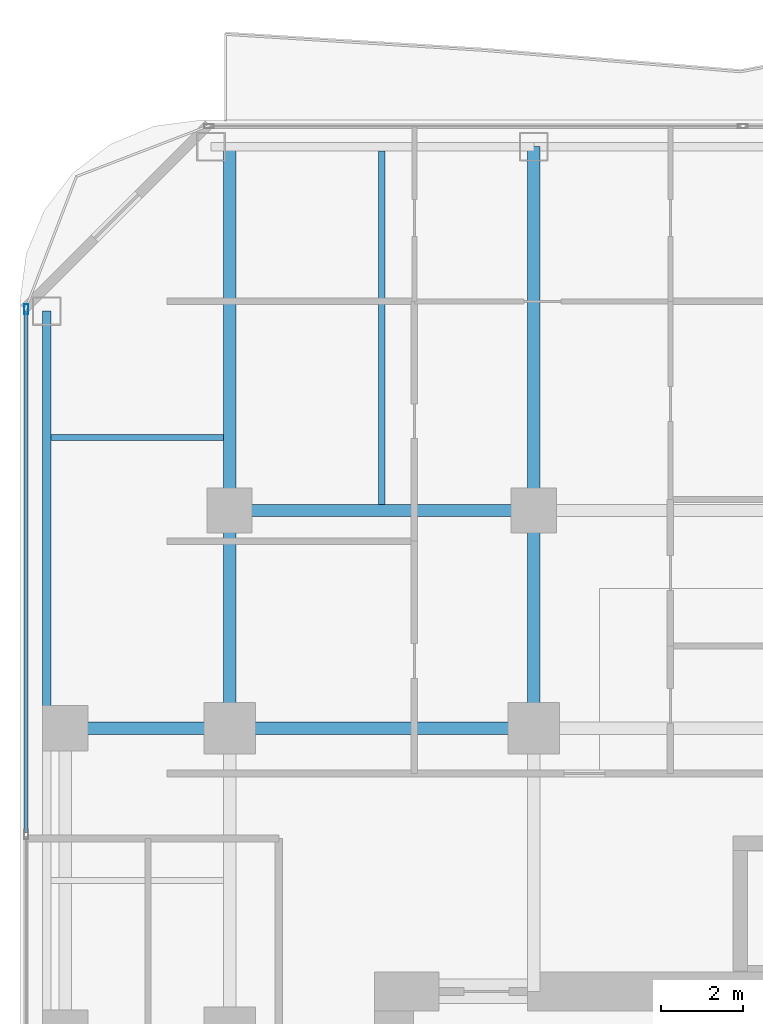
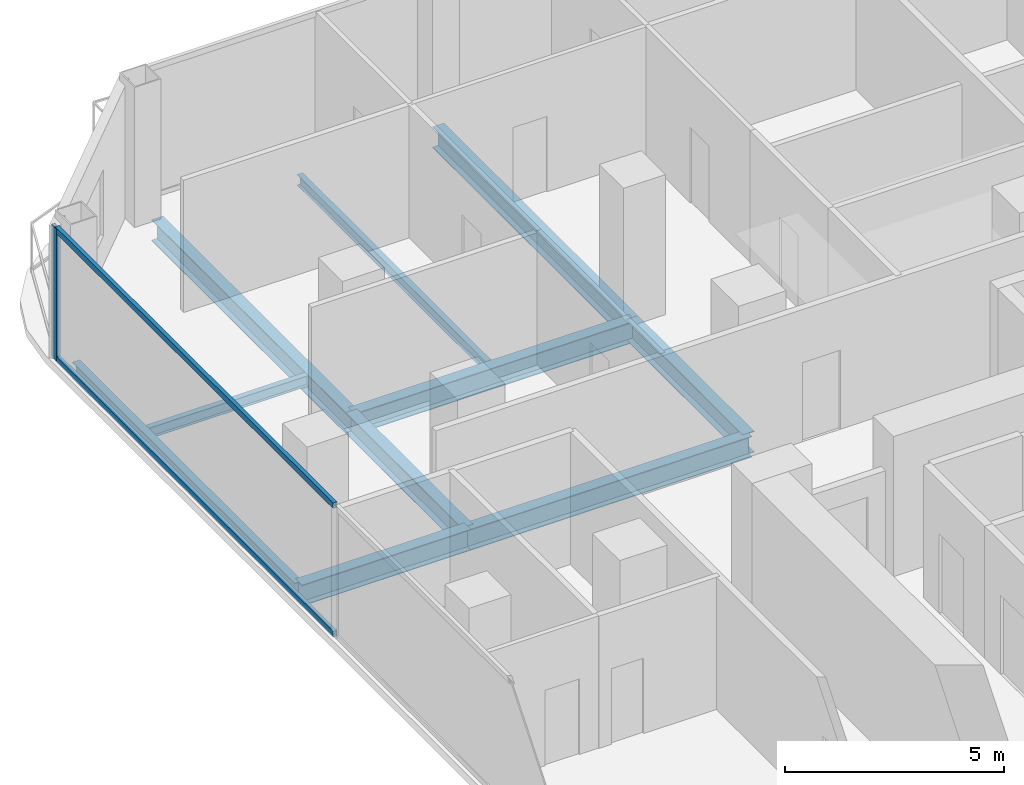
# One storey, part 12 of 27: 10 beams, 3 members, 1 element without a shape of its own.
"""IFC4 building model written with IfcOpenShell, lengths in metres."""

from ifc_helpers import new_model, si_unit, direction, frame, origin, origin_2d, place, context, subcontext, project, spatial, hollow_rectangle, i_section, extrude, material, layer, layer_set, material_profile, profile_set, type_object, element, aggregate, save


model = new_model("IFC4")

# Units and contexts
model_context = context("Model", 3, precision=1e-05, world=origin(), true_north=direction((0.0, 1.0)))
body_context = subcontext(model_context, "Body", "Model", "MODEL_VIEW")
ifc_project = project(units=[si_unit("LENGTHUNIT", "METRE"), si_unit("AREAUNIT", "SQUARE_METRE"), si_unit("VOLUMEUNIT", "CUBIC_METRE"), si_unit("PLANEANGLEUNIT", "RADIAN"), si_unit("MASSUNIT", "GRAM", prefix="KILO")], contexts=[model_context])

# Site, building, storey
site_placement = place(None, origin())
site = spatial("IfcSite", under=ifc_project, at=site_placement, CompositionType="ELEMENT")
building_placement = place(site_placement, origin())
building = spatial("IfcBuilding", under=site, at=building_placement, Name="Khorvyn Point Tower", CompositionType="ELEMENT")
storey_placement = place(building_placement, frame((0.0, 0.0, 129.0)))
storey = spatial("IfcBuildingStorey", under=building, at=storey_placement, Name="L32", CompositionType="ELEMENT", Elevation=129.0)

# Curtain wall, members
ifc_material_1 = material(Name="Anodised aluminium 6063-T6 and laminated Low-E glass", Category="aluminium")
ifc_layer = layer(ifc_material_1, 0.18994140625)
ifc_layer_set = layer_set([ifc_layer], Name="Stick-Built Acoustic Curtain Wall CW-SYS-03")
curtain_wall_type = type_object("IfcCurtainWallType", Name="Stick-Built Acoustic Curtain Wall CW-SYS-03", PredefinedType="NOTDEFINED", material=ifc_layer_set)
curtain_wall_placement = place(storey_placement, origin())
curtain_wall = element("IfcCurtainWall", 1, at=curtain_wall_placement, inside=storey, type_object=curtain_wall_type, Name="Curtain Wall", PredefinedType="NOTDEFINED")
ifc_material_2 = material(Name="Anodised aluminium 6063-T6", Category="aluminium")
ifc_material_profile_1 = material_profile(ifc_material_2, hollow_rectangle(XDim=0.10009765625, YDim=0.239990234375, WallThickness=0.0048828125, at=origin_2d()))
ifc_profile_set_1 = profile_set([ifc_material_profile_1], Name="Anodised aluminium 6063-T6 ALU-MUL-100x240")
member_type_1 = type_object("IfcMemberType", Name="Anodised Aluminium 6063-T6 Mullion ALU-MUL-100x240", PredefinedType="MULLION", material=ifc_profile_set_1)
member_1_placement = place(storey_placement, frame((-19.75, 25.0, 0.0), z_axis=(0.0, 0.0, 1.0), x_axis=(-1.0, 0.0, 0.0)))
member_1 = element("IfcMember", 2, at=member_1_placement, type_object=member_type_1, Name="Transom", PredefinedType="MULLION", context=body_context, shape_type="SweptSolid", body=[
    extrude(hollow_rectangle(XDim=0.10009765625, YDim=0.239990234375, WallThickness=0.0048828125, at=origin_2d()), origin(), (0.0, 0.0, 1.0), 3.679931640625),
])
ifc_material_profile_2 = material_profile(ifc_material_2, hollow_rectangle(XDim=0.10009765625, YDim=0.159912109375, WallThickness=0.00439453125, at=origin_2d()))
ifc_profile_set_2 = profile_set([ifc_material_profile_2], Name="Anodised aluminium 6063-T6 ALU-TRN-100x160")
member_type_2 = type_object("IfcMemberType", Name="Anodised Aluminium 6063-T6 Transom ALU-TRN-100x160", PredefinedType="USERDEFINED", material=ifc_profile_set_2)
member_2_placement = place(storey_placement, frame((-19.75, 12.2666015625, 0.050048828125), z_axis=(0.0, 1.0, 0.0), x_axis=(-1.0, 0.0, 0.0)))
member_2 = element("IfcMember", 3, at=member_2_placement, type_object=member_type_2, Name="Transom", ObjectType="TRANSOM", PredefinedType="USERDEFINED", context=body_context, shape_type="SweptSolid", body=[
    extrude(hollow_rectangle(XDim=0.10009765625, YDim=0.159912109375, WallThickness=0.00439453125, at=origin_2d()), origin(), (0.0, 0.0, 1.0), 12.683349609375),
])
member_3_placement = place(storey_placement, frame((-19.75, 12.2666015625, 3.6298828125), z_axis=(0.0, 1.0, 0.0), x_axis=(-1.0, 0.0, 0.0)))
member_3 = element("IfcMember", 4, at=member_3_placement, type_object=member_type_2, Name="Transom", ObjectType="TRANSOM", PredefinedType="USERDEFINED", context=body_context, shape_type="SweptSolid", body=[
    extrude(hollow_rectangle(XDim=0.10009765625, YDim=0.159912109375, WallThickness=0.00439453125, at=origin_2d()), origin(), (0.0, 0.0, 1.0), 12.683349609375),
])
aggregate(curtain_wall, [member_1, member_2, member_3])

# Beams
ifc_material_3 = material(Name="Steel S355", Category="steel")
ifc_material_profile_3 = material_profile(ifc_material_3, i_section(OverallWidth=0.300048828125, OverallDepth=0.587890625, WebThickness=0.011962890625, FlangeThickness=0.02001953125, at=origin_2d()))
ifc_profile_set_3 = profile_set([ifc_material_profile_3], Name="Steel S355 H588x300x12x20")
beam_type_1 = type_object("IfcBeamType", Name="Steel S355 Beam H588x300x12x20", PredefinedType="BEAM", material=ifc_profile_set_3)
beam_1_placement = place(storey_placement, frame((-19.25, 14.800048828125, -0.513916015625), z_axis=(1.0, 0.0, 0.0), x_axis=(0.0, 1.0, 0.0)))
element("IfcBeam", 5, at=beam_1_placement, inside=storey, type_object=beam_type_1, Name="Beam", PredefinedType="BEAM", context=body_context, shape_type="SweptSolid", body=[
    extrude(i_section(OverallWidth=0.300048828125, OverallDepth=0.587890625, WebThickness=0.011962890625, FlangeThickness=0.02001953125, at=origin_2d()), origin(), (0.0, 0.0, 1.0), 4.449951171875),
])
for number, where, z_axis, x_axis, name in (
    (6, (-14.800048828125, 14.800048828125, -0.513916015625), (1.0, 0.0, 0.0), (0.0, 1.0, 0.0), "Beam"),
    (7, (-14.800048828125, 20.10009765625, -0.513916015625), (1.0, 0.0, 0.0), (0.0, 1.0, 0.0), "Beam"),
):
    element("IfcBeam", number, at=place(storey_placement, frame(where, z_axis=z_axis, x_axis=x_axis)), inside=storey, type_object=beam_type_1, Name=name, PredefinedType="BEAM", context=body_context, shape_type="SweptSolid", body=[
        extrude(i_section(OverallWidth=0.300048828125, OverallDepth=0.587890625, WebThickness=0.011962890625, FlangeThickness=0.02001953125, at=origin_2d()), origin(), (0.0, 0.0, 1.0), 7.400146484375),
    ])
beam_2_placement = place(storey_placement, frame((-14.800048828125, 14.800048828125, -0.513916015625), z_axis=(0.0, 1.0, 0.0), x_axis=(-1.0, 0.0, 0.0)))
element("IfcBeam", 8, at=beam_2_placement, inside=storey, type_object=beam_type_1, Name="Beam", PredefinedType="BEAM", context=body_context, shape_type="SweptSolid", body=[
    extrude(i_section(OverallWidth=0.300048828125, OverallDepth=0.587890625, WebThickness=0.011962890625, FlangeThickness=0.02001953125, at=origin_2d()), origin(), (0.0, 0.0, 1.0), 5.300048828125),
])
beam_3_placement = place(storey_placement, frame((-14.800048828125, 20.10009765625, -0.513916015625), z_axis=(0.0, 1.0, 0.0), x_axis=(-1.0, 0.0, 0.0)))
element("IfcBeam", 9, at=beam_3_placement, inside=storey, type_object=beam_type_1, Name="Beam", PredefinedType="BEAM", context=body_context, shape_type="SweptSolid", body=[
    extrude(i_section(OverallWidth=0.300048828125, OverallDepth=0.587890625, WebThickness=0.011962890625, FlangeThickness=0.02001953125, at=origin_2d()), origin(), (0.0, 0.0, 1.0), 8.849853515625),
])
beam_4_placement = place(storey_placement, frame((-7.39990234375, 14.800048828125, -0.513916015625), z_axis=(0.0, 1.0, 0.0), x_axis=(-1.0, 0.0, 0.0)))
element("IfcBeam", 10, at=beam_4_placement, inside=storey, type_object=beam_type_1, Name="Beam", PredefinedType="BEAM", context=body_context, shape_type="SweptSolid", body=[
    extrude(i_section(OverallWidth=0.300048828125, OverallDepth=0.587890625, WebThickness=0.011962890625, FlangeThickness=0.02001953125, at=origin_2d()), origin(), (0.0, 0.0, 1.0), 5.300048828125),
])
beam_5_placement = place(storey_placement, frame((-7.39990234375, 20.10009765625, -0.513916015625), z_axis=(0.0, 1.0, 0.0), x_axis=(-1.0, 0.0, 0.0)))
element("IfcBeam", 11, at=beam_5_placement, inside=storey, type_object=beam_type_1, Name="Beam", PredefinedType="BEAM", context=body_context, shape_type="SweptSolid", body=[
    extrude(i_section(OverallWidth=0.300048828125, OverallDepth=0.587890625, WebThickness=0.011962890625, FlangeThickness=0.02001953125, at=origin_2d()), origin(), (0.0, 0.0, 1.0), 8.849853515625),
])
ifc_material_profile_4 = material_profile(ifc_material_3, i_section(OverallWidth=0.14990234375, OverallDepth=0.300048828125, WebThickness=0.006591796875, FlangeThickness=0.009033203125, at=origin_2d()))
ifc_profile_set_4 = profile_set([ifc_material_profile_4], Name="Steel S355 H300x150x6.5x9")
beam_type_2 = type_object("IfcBeamType", Name="Steel S355 Joist H300x150x6.5x9", PredefinedType="JOIST", material=ifc_profile_set_4)
beam_6_placement = place(storey_placement, frame((-11.10009765625, 20.25, -0.3701171875), z_axis=(0.0, 1.0, 0.0), x_axis=(-1.0, 0.0, 0.0)))
element("IfcBeam", 12, at=beam_6_placement, inside=storey, type_object=beam_type_2, Name="Beam", PredefinedType="JOIST", context=body_context, shape_type="SweptSolid", body=[
    extrude(i_section(OverallWidth=0.14990234375, OverallDepth=0.300048828125, WebThickness=0.006591796875, FlangeThickness=0.009033203125, at=origin_2d()), origin(), (0.0, 0.0, 1.0), 8.60009765625),
])
beam_7_placement = place(storey_placement, frame((-19.14990234375, 21.875, -0.3701171875), z_axis=(1.0, 0.0, 0.0), x_axis=(0.0, 1.0, 0.0)))
element("IfcBeam", 13, at=beam_7_placement, inside=storey, type_object=beam_type_2, Name="Beam", PredefinedType="JOIST", context=body_context, shape_type="SweptSolid", body=[
    extrude(i_section(OverallWidth=0.14990234375, OverallDepth=0.300048828125, WebThickness=0.006591796875, FlangeThickness=0.009033203125, at=origin_2d()), origin(), (0.0, 0.0, 1.0), 4.199951171875),
])
ifc_material_profile_5 = material_profile(ifc_material_3, i_section(OverallWidth=0.199951171875, OverallDepth=0.449951171875, WebThickness=0.009033203125, FlangeThickness=0.013916015625, at=origin_2d()))
ifc_profile_set_5 = profile_set([ifc_material_profile_5], Name="Steel S355 H450x200x9x14")
beam_type_3 = type_object("IfcBeamType", Name="Steel S355 Spandrel H450x200x9x14", PredefinedType="SPANDREL", material=ifc_profile_set_5)
beam_8_placement = place(storey_placement, frame((-19.25, 14.800048828125, -0.445068359375), z_axis=(0.0, 1.0, 0.0), x_axis=(-1.0, 0.0, 0.0)))
element("IfcBeam", 14, at=beam_8_placement, inside=storey, type_object=beam_type_3, Name="Beam", PredefinedType="SPANDREL", context=body_context, shape_type="SweptSolid", body=[
    extrude(i_section(OverallWidth=0.199951171875, OverallDepth=0.449951171875, WebThickness=0.009033203125, FlangeThickness=0.013916015625, at=origin_2d()), origin(), (0.0, 0.0, 1.0), 10.14990234375),
])

save(model, "model.ifc")
